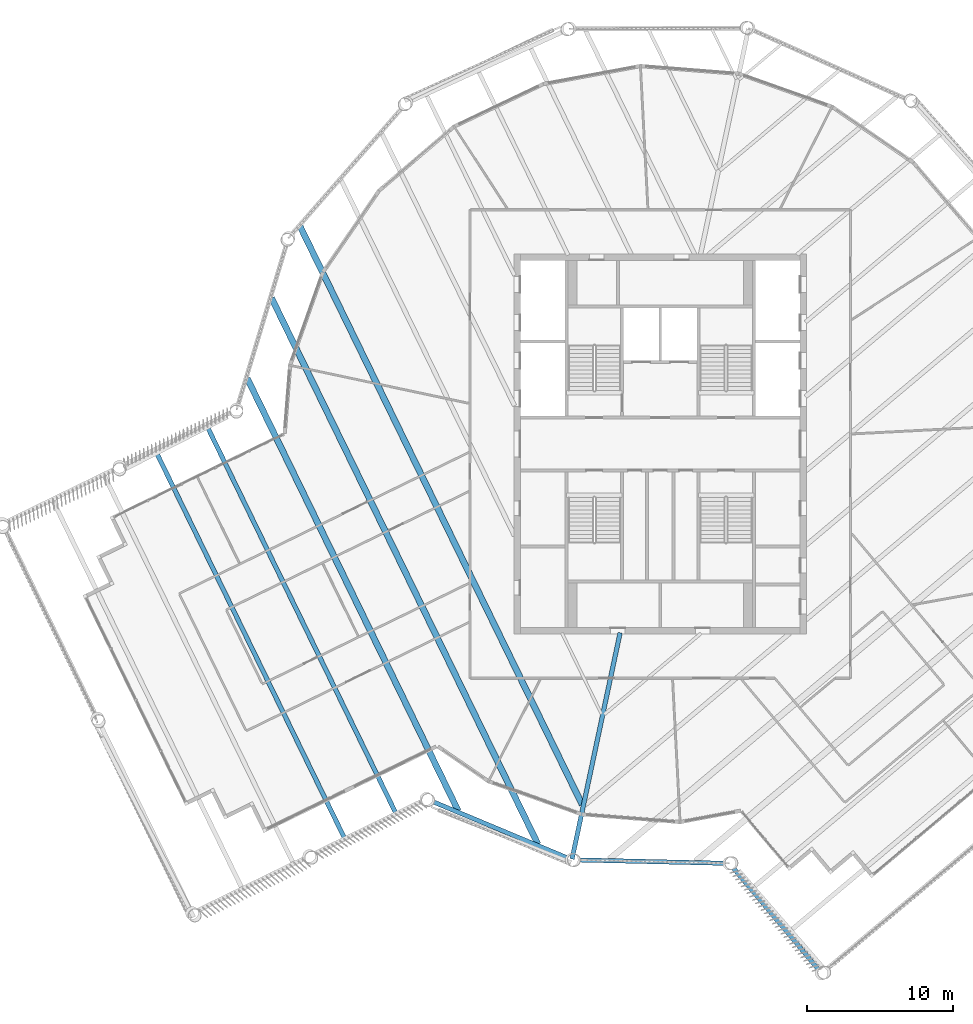
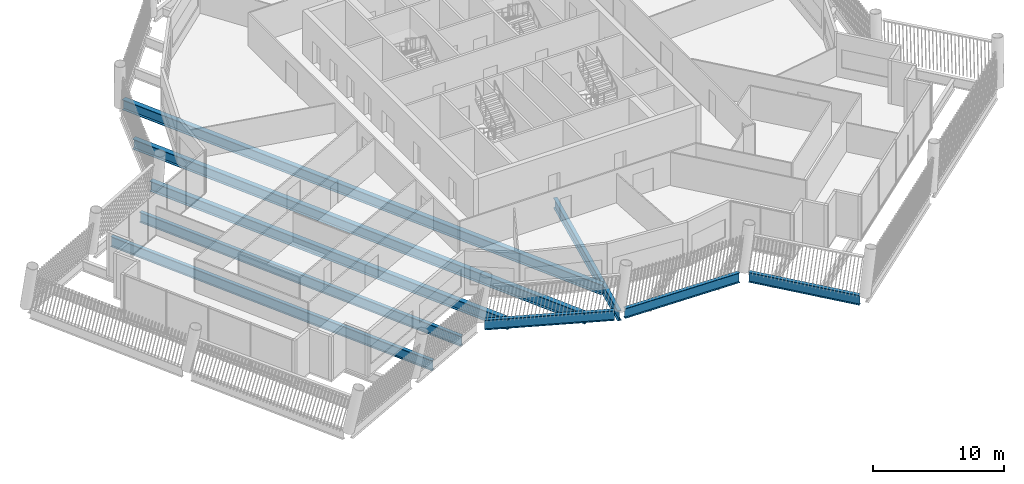
# One storey, part 9 of 31: 9 beams.
"""IFC4 building model written with IfcOpenShell, lengths in metres."""

from ifc_helpers import new_model, si_unit, direction, frame, origin, origin_2d, place, context, subcontext, project, spatial, i_section, extrude, material, material_profile, profile_set, type_object, element, save


model = new_model("IFC4")

# Units and contexts
model_context = context("Model", 3, precision=1e-05, world=origin(), true_north=direction((0.0, 1.0)))
body_context = subcontext(model_context, "Body", "Model", "MODEL_VIEW")
ifc_project = project(units=[si_unit("LENGTHUNIT", "METRE"), si_unit("AREAUNIT", "SQUARE_METRE"), si_unit("VOLUMEUNIT", "CUBIC_METRE"), si_unit("PLANEANGLEUNIT", "RADIAN"), si_unit("MASSUNIT", "GRAM", prefix="KILO")], contexts=[model_context])

# Site, building, storey
site_placement = place(None, origin())
site = spatial("IfcSite", under=ifc_project, at=site_placement, CompositionType="ELEMENT")
building_placement = place(site_placement, origin())
building = spatial("IfcBuilding", under=site, at=building_placement, Name="Tarsis Ring Headquarters", CompositionType="ELEMENT")
storey_placement = place(building_placement, frame((0.0, 0.0, 390.199951171875)))
storey = spatial("IfcBuildingStorey", under=building, at=storey_placement, Name="L92", CompositionType="ELEMENT", Elevation=390.199951171875)

# Beams
ifc_material = material(Name="Structural steel S355", Category="steel")
ifc_material_profile_1 = material_profile(ifc_material, i_section(OverallWidth=0.309814453125, OverallDepth=0.949951171875, WebThickness=0.0244140625, FlangeThickness=0.0439453125, at=origin_2d()), Name="W36x256")
ifc_profile_set_1 = profile_set([ifc_material_profile_1], Name="Structural steel S355")
beam_type_1 = type_object("IfcBeamType", Name="FB Floor beam W36x256", PredefinedType="JOIST", material=ifc_profile_set_1)
beam_1_placement = place(storey_placement, frame((-31.001953125, 1.28759765625, -0.635009765625), z_axis=(0.438364922436, -0.898797082092, 0.0), x_axis=(0.898797082092, 0.438364922436, 0.0)))
element("IfcBeam", 1, at=beam_1_placement, inside=storey, type_object=beam_type_1, Name="Floor beam FB11", PredefinedType="JOIST", context=body_context, shape_type="SweptSolid", body=[
    extrude(i_section(OverallWidth=0.309814453125, OverallDepth=0.949951171875, WebThickness=0.0244140625, FlangeThickness=0.0439453125, at=origin_2d()), origin(), (0.0, 0.0, 1.0), 29.495361328125),
])
beam_2_placement = place(storey_placement, frame((-34.50732421875, -0.422119140625, -0.635009765625), z_axis=(0.438374870395, -0.898792230166, 0.0), x_axis=(0.898792230166, 0.438374870395, 0.0)))
element("IfcBeam", 2, at=beam_2_placement, inside=storey, type_object=beam_type_1, Name="Floor beam FB11", PredefinedType="JOIST", context=body_context, shape_type="SweptSolid", body=[
    extrude(i_section(OverallWidth=0.309814453125, OverallDepth=0.949951171875, WebThickness=0.0244140625, FlangeThickness=0.0439453125, at=origin_2d()), origin(), (0.0, 0.0, 1.0), 29.4951171875),
])
beam_type_2 = type_object("IfcBeamType", Name="FB Floor beam W36x256 spine", PredefinedType="BEAM", material=ifc_profile_set_1)
beam_3_placement = place(storey_placement, frame((-2.742431640625, -12.902099609375, -0.635009765625), z_axis=(-0.20791141438, -0.978147659492, 0.0), x_axis=(0.978147659492, -0.20791141438, 0.0)))
element("IfcBeam", 3, at=beam_3_placement, inside=storey, type_object=beam_type_2, Name="Floor beam SB11", PredefinedType="BEAM", context=body_context, shape_type="SweptSolid", body=[
    extrude(i_section(OverallWidth=0.309814453125, OverallDepth=0.949951171875, WebThickness=0.0244140625, FlangeThickness=0.0439453125, at=origin_2d()), origin(), (0.0, 0.0, 1.0), 15.802978515625),
])
ifc_material_profile_2 = material_profile(ifc_material, i_section(OverallWidth=0.42431640625, OverallDepth=0.947509765625, WebThickness=0.02392578125, FlangeThickness=0.042724609375, at=origin_2d()), Name="W36x302")
ifc_profile_set_2 = profile_set([ifc_material_profile_2], Name="Structural steel S355")
beam_type_3 = type_object("IfcBeamType", Name="FB Floor beam W36x302", PredefinedType="JOIST", material=ifc_profile_set_2)
beam_4_placement = place(storey_placement, frame((-24.618408203125, 14.888916015625, -0.633544921875), z_axis=(0.438369614405, -0.898794793691, 0.0), x_axis=(0.898794793691, 0.438369614405, 0.0)))
element("IfcBeam", 4, at=beam_4_placement, inside=storey, type_object=beam_type_3, Name="Floor beam FB12", PredefinedType="JOIST", context=body_context, shape_type="SweptSolid", body=[
    extrude(i_section(OverallWidth=0.42431640625, OverallDepth=0.947509765625, WebThickness=0.02392578125, FlangeThickness=0.042724609375, at=origin_2d()), origin(), (0.0, 0.0, 1.0), 43.989501953125),
])
beam_5_placement = place(storey_placement, frame((-26.561279296875, 9.97607421875, -0.633544921875), z_axis=(0.438369428377, -0.898794884423, 0.0), x_axis=(0.898794884423, 0.438369428377, 0.0)))
element("IfcBeam", 5, at=beam_5_placement, inside=storey, type_object=beam_type_3, Name="Floor beam FB12", PredefinedType="JOIST", context=body_context, shape_type="SweptSolid", body=[
    extrude(i_section(OverallWidth=0.42431640625, OverallDepth=0.947509765625, WebThickness=0.02392578125, FlangeThickness=0.042724609375, at=origin_2d()), origin(), (0.0, 0.0, 1.0), 41.53125),
])
beam_6_placement = place(storey_placement, frame((-28.220458984375, 4.481201171875, -0.633544921875), z_axis=(0.438371556394, -0.898793846521, 0.0), x_axis=(0.898793846521, 0.438371556394, 0.0)))
element("IfcBeam", 6, at=beam_6_placement, inside=storey, type_object=beam_type_3, Name="Floor beam FB12", PredefinedType="JOIST", context=body_context, shape_type="SweptSolid", body=[
    extrude(i_section(OverallWidth=0.42431640625, OverallDepth=0.947509765625, WebThickness=0.02392578125, FlangeThickness=0.042724609375, at=origin_2d()), origin(), (0.0, 0.0, 1.0), 32.883056640625),
])
ifc_material_profile_3 = material_profile(ifc_material, i_section(OverallWidth=0.3046875, OverallDepth=0.91943359375, WebThickness=0.017333984375, FlangeThickness=0.02783203125, at=origin_2d()), Name="W36x170")
ifc_profile_set_3 = profile_set([ifc_material_profile_3], Name="Structural steel S355")
beam_type_4 = type_object("IfcBeamType", Name="XG Ring girder W36x170", PredefinedType="BEAM", material=ifc_profile_set_3)
beam_7_placement = place(storey_placement, frame((-5.628173828125, -28.423095703125, -0.459716796875), z_axis=(0.999736167025, -0.022969465434, 0.0), x_axis=(0.022969465434, 0.999736167025, 0.0)))
element("IfcBeam", 7, at=beam_7_placement, inside=storey, type_object=beam_type_4, Name="Ring girder XG4", PredefinedType="BEAM", context=body_context, shape_type="SweptSolid", body=[
    extrude(i_section(OverallWidth=0.3046875, OverallDepth=0.91943359375, WebThickness=0.017333984375, FlangeThickness=0.02783203125, at=origin_2d()), origin(), (0.0, 0.0, 1.0), 9.94873046875),
])
beam_8_placement = place(storey_placement, frame((4.993896484375, -28.97607421875, -0.459716796875), z_axis=(0.64277954143, -0.766051213117, 0.0), x_axis=(0.766051213117, 0.64277954143, 0.0)))
element("IfcBeam", 8, at=beam_8_placement, inside=storey, type_object=beam_type_4, Name="Ring girder XG4", PredefinedType="BEAM", context=body_context, shape_type="SweptSolid", body=[
    extrude(i_section(OverallWidth=0.3046875, OverallDepth=0.91943359375, WebThickness=0.017333984375, FlangeThickness=0.02783203125, at=origin_2d()), origin(), (0.0, 0.0, 1.0), 8.981689453125),
])
beam_9_placement = place(storey_placement, frame((-15.598388671875, -24.418212890625, -0.459716796875), z_axis=(0.922639261119, -0.385664094573, 0.0), x_axis=(0.385664094573, 0.922639261119, 0.0)))
element("IfcBeam", 9, at=beam_9_placement, inside=storey, type_object=beam_type_4, Name="Ring girder XG4", PredefinedType="BEAM", context=body_context, shape_type="SweptSolid", body=[
    extrude(i_section(OverallWidth=0.3046875, OverallDepth=0.91943359375, WebThickness=0.017333984375, FlangeThickness=0.02783203125, at=origin_2d()), origin(), (0.0, 0.0, 1.0), 9.94873046875),
])

save(model, "model.ifc")
